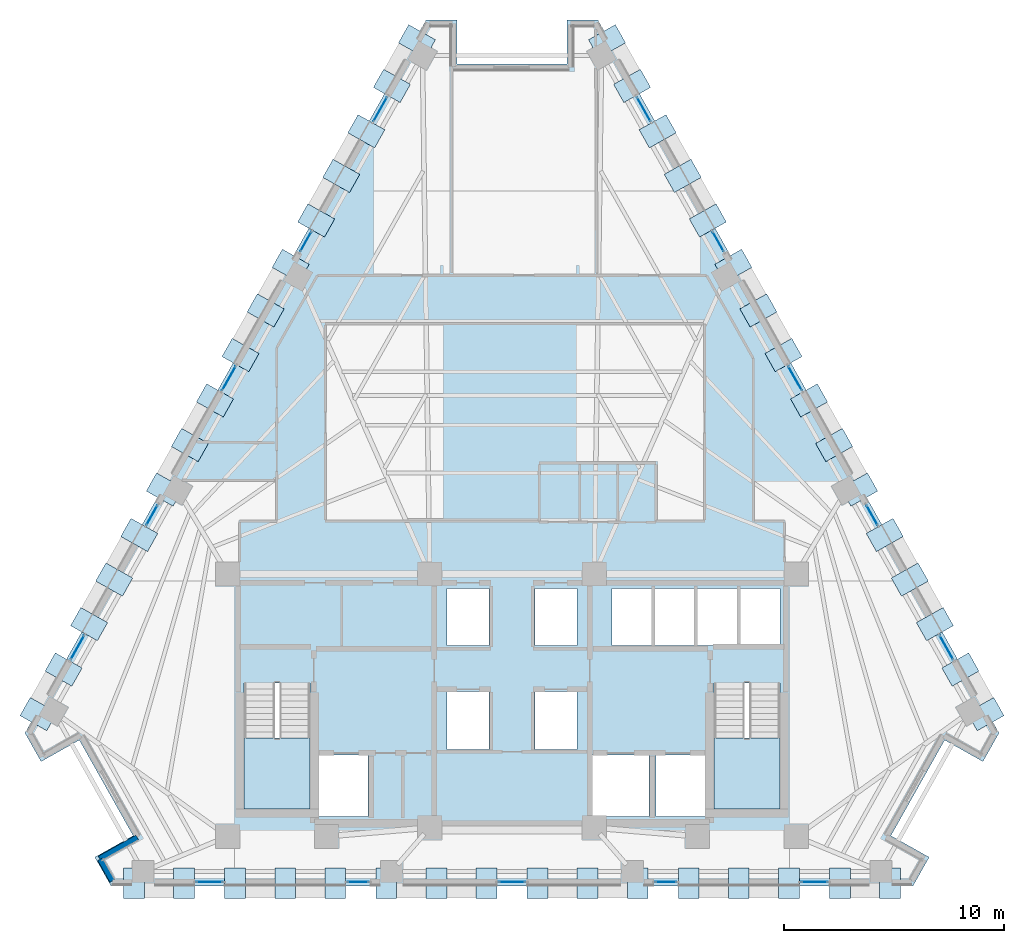
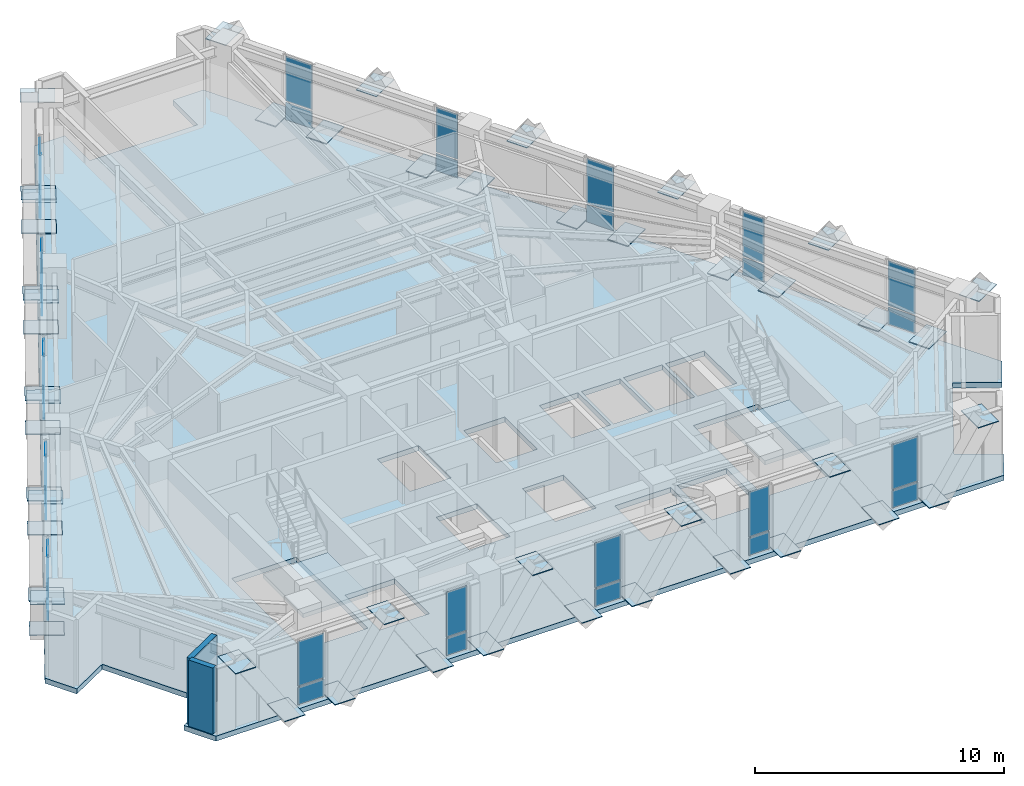
# One storey, part 6 of 13: 78 plates, 3 slabs, 2 walls, 17 elements without a shape of their own.
"""IFC4 building model written with IfcOpenShell, lengths in metres."""

from ifc_helpers import new_model, si_unit, direction, frame, frame_2d, origin, origin_2d, place, context, subcontext, project, spatial, polyline, rectangle, outline, extrude, material, layer, layer_set, type_object, element, aggregate, save


model = new_model("IFC4")

# Units and contexts
model_context = context("Model", 3, precision=1e-05, world=origin(), true_north=direction((0.0, 1.0)))
body_context = subcontext(model_context, "Body", "Model", "MODEL_VIEW")
ifc_project = project(units=[si_unit("LENGTHUNIT", "METRE"), si_unit("AREAUNIT", "SQUARE_METRE"), si_unit("VOLUMEUNIT", "CUBIC_METRE"), si_unit("PLANEANGLEUNIT", "RADIAN"), si_unit("MASSUNIT", "GRAM", prefix="KILO")], contexts=[model_context])

# Site, building, storey
site_placement = place(None, origin())
site = spatial("IfcSite", under=ifc_project, at=site_placement, CompositionType="ELEMENT")
building_placement = place(site_placement, origin())
building = spatial("IfcBuilding", under=site, at=building_placement, Name="Quenlor Broadcast Tower", CompositionType="ELEMENT")
storey_placement = place(building_placement, frame((0.0, 0.0, 158.0)))
storey = spatial("IfcBuildingStorey", under=building, at=storey_placement, Name="L43", CompositionType="ELEMENT", Elevation=158.0)

# Curtain wall, plates
ifc_material_1 = material(Name="Architectural Terracotta and Low-E Glazing", Category="masonry")
curtain_wall_type = type_object("IfcCurtainWallType", Name="Unitised Terracotta Curtain Wall System Z3", PredefinedType="NOTDEFINED", material=ifc_material_1)
curtain_wall_1_placement = place(storey_placement, origin())
curtain_wall_1 = element("IfcCurtainWall", 1, at=curtain_wall_1_placement, inside=storey, type_object=curtain_wall_type, Name="L43 Curtain Wall CW3 (L43-SA-G1)", PredefinedType="NOTDEFINED")
ifc_material_2 = material(Name="Double Glazed Low-E Solar Glass", Category="glass")
ifc_layer_1 = layer(ifc_material_2, 0.028076171875)
ifc_layer_set_1 = layer_set([ifc_layer_1], Name="CW3 Double Glazed Vision Panel 28")
plate_type_1 = type_object("IfcPlateType", Name="CW3 Double Glazed Vision Panel 28", PredefinedType="CURTAIN_PANEL", material=ifc_layer_set_1)
plate_1_placement = place(storey_placement, frame((13.77587890625, -18.824951171875, 0.06982421875), z_axis=(0.0, 0.0, 1.0), x_axis=(-1.0, 0.0, 0.0)))
plate_1 = element("IfcPlate", 2, at=plate_1_placement, type_object=plate_type_1, Name="CW3 panel 1.1", PredefinedType="CURTAIN_PANEL", context=body_context, shape_type="SweptSolid", body=[
    extrude(rectangle(XDim=1.197998046875, YDim=0.028076171875, at=origin_2d()), origin(), (0.0, 0.0, 1.0), 0.844970703125),
])
plate_2_placement = place(storey_placement, frame((13.77587890625, -18.824951171875, 0.98486328125), z_axis=(0.0, 0.0, 1.0), x_axis=(-1.0, 0.0, 0.0)))
plate_2 = element("IfcPlate", 3, at=plate_2_placement, type_object=plate_type_1, Name="CW3 panel 1.2", PredefinedType="CURTAIN_PANEL", context=body_context, shape_type="SweptSolid", body=[
    extrude(rectangle(XDim=1.197998046875, YDim=0.028076171875, at=origin_2d()), origin(), (0.0, 0.0, 1.0), 2.195068359375),
])
aggregate(curtain_wall_1, [plate_1, plate_2])

curtain_wall_2_placement = place(storey_placement, origin())
curtain_wall_2 = element("IfcCurtainWall", 4, at=curtain_wall_2_placement, inside=storey, type_object=curtain_wall_type, Name="L43 Curtain Wall CW3 (L43-SA-G2)", PredefinedType="NOTDEFINED")
plate_3_placement = place(storey_placement, frame((7.011474609375, -18.824951171875, 0.06982421875), z_axis=(0.0, 0.0, 1.0), x_axis=(-1.0, 0.0, 0.0)))
plate_3 = element("IfcPlate", 5, at=plate_3_placement, type_object=plate_type_1, Name="CW3 panel 1.1", PredefinedType="CURTAIN_PANEL", context=body_context, shape_type="SweptSolid", body=[
    extrude(rectangle(XDim=0.950927734375, YDim=0.028076171875, at=origin_2d()), origin(), (0.0, 0.0, 1.0), 0.844970703125),
])
plate_4_placement = place(storey_placement, frame((7.011474609375, -18.824951171875, 0.98486328125), z_axis=(0.0, 0.0, 1.0), x_axis=(-1.0, 0.0, 0.0)))
plate_4 = element("IfcPlate", 6, at=plate_4_placement, type_object=plate_type_1, Name="CW3 panel 1.2", PredefinedType="CURTAIN_PANEL", context=body_context, shape_type="SweptSolid", body=[
    extrude(rectangle(XDim=0.950927734375, YDim=0.028076171875, at=origin_2d()), origin(), (0.0, 0.0, 1.0), 2.195068359375),
])
aggregate(curtain_wall_2, [plate_3, plate_4])

curtain_wall_3_placement = place(storey_placement, origin())
curtain_wall_3 = element("IfcCurtainWall", 7, at=curtain_wall_3_placement, inside=storey, type_object=curtain_wall_type, Name="L43 Curtain Wall CW3 (L43-SC-G1)", PredefinedType="NOTDEFINED")
plate_5_placement = place(storey_placement, frame((-7.011474609375, -18.824951171875, 0.06982421875), z_axis=(0.0, 0.0, 1.0), x_axis=(-1.0, 0.0, 0.0)))
plate_5 = element("IfcPlate", 8, at=plate_5_placement, type_object=plate_type_1, Name="CW3 panel 1.1", PredefinedType="CURTAIN_PANEL", context=body_context, shape_type="SweptSolid", body=[
    extrude(rectangle(XDim=0.950927734375, YDim=0.028076171875, at=origin_2d()), origin(), (0.0, 0.0, 1.0), 0.844970703125),
])
plate_6_placement = place(storey_placement, frame((-7.011474609375, -18.824951171875, 0.98486328125), z_axis=(0.0, 0.0, 1.0), x_axis=(-1.0, 0.0, 0.0)))
plate_6 = element("IfcPlate", 9, at=plate_6_placement, type_object=plate_type_1, Name="CW3 panel 1.2", PredefinedType="CURTAIN_PANEL", context=body_context, shape_type="SweptSolid", body=[
    extrude(rectangle(XDim=0.950927734375, YDim=0.028076171875, at=origin_2d()), origin(), (0.0, 0.0, 1.0), 2.195068359375),
])
aggregate(curtain_wall_3, [plate_5, plate_6])

curtain_wall_4_placement = place(storey_placement, origin())
curtain_wall_4 = element("IfcCurtainWall", 10, at=curtain_wall_4_placement, inside=storey, type_object=curtain_wall_type, Name="L43 Curtain Wall CW3 (L43-SC-G2)", PredefinedType="NOTDEFINED")
plate_7_placement = place(storey_placement, frame((-13.77587890625, -18.824951171875, 0.06982421875), z_axis=(0.0, 0.0, 1.0), x_axis=(-1.0, 0.0, 0.0)))
plate_7 = element("IfcPlate", 11, at=plate_7_placement, type_object=plate_type_1, Name="CW3 panel 1.1", PredefinedType="CURTAIN_PANEL", context=body_context, shape_type="SweptSolid", body=[
    extrude(rectangle(XDim=1.197998046875, YDim=0.028076171875, at=origin_2d()), origin(), (0.0, 0.0, 1.0), 0.844970703125),
])
plate_8_placement = place(storey_placement, frame((-13.77587890625, -18.824951171875, 0.98486328125), z_axis=(0.0, 0.0, 1.0), x_axis=(-1.0, 0.0, 0.0)))
plate_8 = element("IfcPlate", 12, at=plate_8_placement, type_object=plate_type_1, Name="CW3 panel 1.2", PredefinedType="CURTAIN_PANEL", context=body_context, shape_type="SweptSolid", body=[
    extrude(rectangle(XDim=1.197998046875, YDim=0.028076171875, at=origin_2d()), origin(), (0.0, 0.0, 1.0), 2.195068359375),
])
aggregate(curtain_wall_4, [plate_7, plate_8])

curtain_wall_5_placement = place(storey_placement, origin())
curtain_wall_5 = element("IfcCurtainWall", 13, at=curtain_wall_5_placement, inside=storey, type_object=curtain_wall_type, Name="L43 Curtain Wall CW3 (L43-S-G1)", PredefinedType="NOTDEFINED")
plate_9_placement = place(storey_placement, frame((0.0, -18.824951171875, 0.06982421875), z_axis=(0.0, 0.0, 1.0), x_axis=(-1.0, 0.0, 0.0)))
plate_9 = element("IfcPlate", 14, at=plate_9_placement, type_object=plate_type_1, Name="CW3 panel 1.1", PredefinedType="CURTAIN_PANEL", context=body_context, shape_type="SweptSolid", body=[
    extrude(rectangle(XDim=1.197998046875, YDim=0.028076171875, at=origin_2d()), origin(), (0.0, 0.0, 1.0), 0.844970703125),
])
plate_10_placement = place(storey_placement, frame((0.0, -18.824951171875, 0.98486328125), z_axis=(0.0, 0.0, 1.0), x_axis=(-1.0, 0.0, 0.0)))
plate_10 = element("IfcPlate", 15, at=plate_10_placement, type_object=plate_type_1, Name="CW3 panel 1.2", PredefinedType="CURTAIN_PANEL", context=body_context, shape_type="SweptSolid", body=[
    extrude(rectangle(XDim=1.197998046875, YDim=0.028076171875, at=origin_2d()), origin(), (0.0, 0.0, 1.0), 2.195068359375),
])
aggregate(curtain_wall_5, [plate_9, plate_10])

curtain_wall_6_placement = place(storey_placement, origin())
curtain_wall_6 = element("IfcCurtainWall", 16, at=curtain_wall_6_placement, inside=storey, type_object=curtain_wall_type, Name="L43 Curtain Wall CW3 (L43-NEA-G1)", PredefinedType="NOTDEFINED")
plate_11_placement = place(storey_placement, frame((6.00146484375, 16.3740234375, 0.06982421875), z_axis=(0.0, 0.0, 1.0), x_axis=(0.490230492916, -0.871592831439, 0.0)))
plate_11 = element("IfcPlate", 17, at=plate_11_placement, type_object=plate_type_1, Name="CW3 panel 1.1", PredefinedType="CURTAIN_PANEL", context=body_context, shape_type="SweptSolid", body=[
    extrude(rectangle(XDim=1.249755859375, YDim=0.028076171875, at=origin_2d()), origin(), (0.0, 0.0, 1.0), 0.844970703125),
])
plate_12_placement = place(storey_placement, frame((6.00146484375, 16.3740234375, 0.98486328125), z_axis=(0.0, 0.0, 1.0), x_axis=(0.490230492916, -0.871592831439, 0.0)))
plate_12 = element("IfcPlate", 18, at=plate_12_placement, type_object=plate_type_1, Name="CW3 panel 1.2", PredefinedType="CURTAIN_PANEL", context=body_context, shape_type="SweptSolid", body=[
    extrude(rectangle(XDim=1.249755859375, YDim=0.028076171875, at=origin_2d()), origin(), (0.0, 0.0, 1.0), 2.195068359375),
])
aggregate(curtain_wall_6, [plate_11, plate_12])

curtain_wall_7_placement = place(storey_placement, origin())
curtain_wall_7 = element("IfcCurtainWall", 19, at=curtain_wall_7_placement, inside=storey, type_object=curtain_wall_type, Name="L43 Curtain Wall CW3 (L43-NEA-G2)", PredefinedType="NOTDEFINED")
plate_13_placement = place(storey_placement, frame((9.391357421875, 10.34716796875, 0.06982421875), z_axis=(0.0, 0.0, 1.0), x_axis=(0.490215950125, -0.871601010924, 0.0)))
plate_13 = element("IfcPlate", 20, at=plate_13_placement, type_object=plate_type_1, Name="CW3 panel 1.1", PredefinedType="CURTAIN_PANEL", context=body_context, shape_type="SweptSolid", body=[
    extrude(rectangle(XDim=1.01318359375, YDim=0.028076171875, at=origin_2d()), origin(), (0.0, 0.0, 1.0), 0.844970703125),
])
plate_14_placement = place(storey_placement, frame((9.391357421875, 10.34716796875, 0.98486328125), z_axis=(0.0, 0.0, 1.0), x_axis=(0.490215950125, -0.871601010924, 0.0)))
plate_14 = element("IfcPlate", 21, at=plate_14_placement, type_object=plate_type_1, Name="CW3 panel 1.2", PredefinedType="CURTAIN_PANEL", context=body_context, shape_type="SweptSolid", body=[
    extrude(rectangle(XDim=1.01318359375, YDim=0.028076171875, at=origin_2d()), origin(), (0.0, 0.0, 1.0), 2.195068359375),
])
aggregate(curtain_wall_7, [plate_13, plate_14])

curtain_wall_8_placement = place(storey_placement, origin())
curtain_wall_8 = element("IfcCurtainWall", 22, at=curtain_wall_8_placement, inside=storey, type_object=curtain_wall_type, Name="L43 Curtain Wall CW3 (L43-NEC-G1)", PredefinedType="NOTDEFINED")
plate_15_placement = place(storey_placement, frame((16.403564453125, -2.118896484375, 0.06982421875), z_axis=(0.0, 0.0, 1.0), x_axis=(0.490253004657, -0.871580169247, 0.0)))
plate_15 = element("IfcPlate", 23, at=plate_15_placement, type_object=plate_type_1, Name="CW3 panel 1.1", PredefinedType="CURTAIN_PANEL", context=body_context, shape_type="SweptSolid", body=[
    extrude(rectangle(XDim=1.01318359375, YDim=0.028076171875, at=origin_2d()), origin(), (0.0, 0.0, 1.0), 0.844970703125),
])
plate_16_placement = place(storey_placement, frame((16.403564453125, -2.118896484375, 0.98486328125), z_axis=(0.0, 0.0, 1.0), x_axis=(0.490253004657, -0.871580169247, 0.0)))
plate_16 = element("IfcPlate", 24, at=plate_16_placement, type_object=plate_type_1, Name="CW3 panel 1.2", PredefinedType="CURTAIN_PANEL", context=body_context, shape_type="SweptSolid", body=[
    extrude(rectangle(XDim=1.01318359375, YDim=0.028076171875, at=origin_2d()), origin(), (0.0, 0.0, 1.0), 2.195068359375),
])
aggregate(curtain_wall_8, [plate_15, plate_16])

curtain_wall_9_placement = place(storey_placement, origin())
curtain_wall_9 = element("IfcCurtainWall", 25, at=curtain_wall_9_placement, inside=storey, type_object=curtain_wall_type, Name="L43 Curtain Wall CW3 (L43-NEC-G2)", PredefinedType="NOTDEFINED")
plate_17_placement = place(storey_placement, frame((19.793701171875, -8.145751953125, 0.06982421875), z_axis=(0.0, 0.0, 1.0), x_axis=(0.490261239636, -0.871575537123, 0.0)))
plate_17 = element("IfcPlate", 26, at=plate_17_placement, type_object=plate_type_1, Name="CW3 panel 1.1", PredefinedType="CURTAIN_PANEL", context=body_context, shape_type="SweptSolid", body=[
    extrude(rectangle(XDim=1.249755859375, YDim=0.028076171875, at=origin_2d()), origin(), (0.0, 0.0, 1.0), 0.844970703125),
])
plate_18_placement = place(storey_placement, frame((19.793701171875, -8.145751953125, 0.98486328125), z_axis=(0.0, 0.0, 1.0), x_axis=(0.490261239636, -0.871575537123, 0.0)))
plate_18 = element("IfcPlate", 27, at=plate_18_placement, type_object=plate_type_1, Name="CW3 panel 1.2", PredefinedType="CURTAIN_PANEL", context=body_context, shape_type="SweptSolid", body=[
    extrude(rectangle(XDim=1.249755859375, YDim=0.028076171875, at=origin_2d()), origin(), (0.0, 0.0, 1.0), 2.195068359375),
])
aggregate(curtain_wall_9, [plate_17, plate_18])

curtain_wall_10_placement = place(storey_placement, origin())
curtain_wall_10 = element("IfcCurtainWall", 28, at=curtain_wall_10_placement, inside=storey, type_object=curtain_wall_type, Name="L43 Curtain Wall CW3 (L43-NE-G1)", PredefinedType="NOTDEFINED")
plate_19_placement = place(storey_placement, frame((12.8974609375, 4.1142578125, 0.06982421875), z_axis=(0.0, 0.0, 1.0), x_axis=(0.490285152484, -0.871562085714, 0.0)))
plate_19 = element("IfcPlate", 29, at=plate_19_placement, type_object=plate_type_1, Name="CW3 panel 1.1", PredefinedType="CURTAIN_PANEL", context=body_context, shape_type="SweptSolid", body=[
    extrude(rectangle(XDim=1.249755859375, YDim=0.028076171875, at=origin_2d()), origin(), (0.0, 0.0, 1.0), 0.844970703125),
])
plate_20_placement = place(storey_placement, frame((12.8974609375, 4.1142578125, 0.98486328125), z_axis=(0.0, 0.0, 1.0), x_axis=(0.490285152484, -0.871562085714, 0.0)))
plate_20 = element("IfcPlate", 30, at=plate_20_placement, type_object=plate_type_1, Name="CW3 panel 1.2", PredefinedType="CURTAIN_PANEL", context=body_context, shape_type="SweptSolid", body=[
    extrude(rectangle(XDim=1.249755859375, YDim=0.028076171875, at=origin_2d()), origin(), (0.0, 0.0, 1.0), 2.195068359375),
])
aggregate(curtain_wall_10, [plate_19, plate_20])

curtain_wall_11_placement = place(storey_placement, origin())
curtain_wall_11 = element("IfcCurtainWall", 31, at=curtain_wall_11_placement, inside=storey, type_object=curtain_wall_type, Name="L43 Curtain Wall CW3 (L43-NWA-G1)", PredefinedType="NOTDEFINED")
plate_21_placement = place(storey_placement, frame((-19.793701171875, -8.145751953125, 0.06982421875), z_axis=(0.0, 0.0, 1.0), x_axis=(0.490261239636, 0.871575537123, 0.0)))
plate_21 = element("IfcPlate", 32, at=plate_21_placement, type_object=plate_type_1, Name="CW3 panel 1.1", PredefinedType="CURTAIN_PANEL", context=body_context, shape_type="SweptSolid", body=[
    extrude(rectangle(XDim=1.249755859375, YDim=0.028076171875, at=origin_2d()), origin(), (0.0, 0.0, 1.0), 0.844970703125),
])
plate_22_placement = place(storey_placement, frame((-19.793701171875, -8.145751953125, 0.98486328125), z_axis=(0.0, 0.0, 1.0), x_axis=(0.490261239636, 0.871575537123, 0.0)))
plate_22 = element("IfcPlate", 33, at=plate_22_placement, type_object=plate_type_1, Name="CW3 panel 1.2", PredefinedType="CURTAIN_PANEL", context=body_context, shape_type="SweptSolid", body=[
    extrude(rectangle(XDim=1.249755859375, YDim=0.028076171875, at=origin_2d()), origin(), (0.0, 0.0, 1.0), 2.195068359375),
])
aggregate(curtain_wall_11, [plate_21, plate_22])

curtain_wall_12_placement = place(storey_placement, origin())
curtain_wall_12 = element("IfcCurtainWall", 34, at=curtain_wall_12_placement, inside=storey, type_object=curtain_wall_type, Name="L43 Curtain Wall CW3 (L43-NWA-G2)", PredefinedType="NOTDEFINED")
plate_23_placement = place(storey_placement, frame((-16.403564453125, -2.118896484375, 0.06982421875), z_axis=(0.0, 0.0, 1.0), x_axis=(0.490253004657, 0.871580169247, 0.0)))
plate_23 = element("IfcPlate", 35, at=plate_23_placement, type_object=plate_type_1, Name="CW3 panel 1.1", PredefinedType="CURTAIN_PANEL", context=body_context, shape_type="SweptSolid", body=[
    extrude(rectangle(XDim=1.01318359375, YDim=0.028076171875, at=origin_2d()), origin(), (0.0, 0.0, 1.0), 0.844970703125),
])
plate_24_placement = place(storey_placement, frame((-16.403564453125, -2.118896484375, 0.98486328125), z_axis=(0.0, 0.0, 1.0), x_axis=(0.490253004657, 0.871580169247, 0.0)))
plate_24 = element("IfcPlate", 36, at=plate_24_placement, type_object=plate_type_1, Name="CW3 panel 1.2", PredefinedType="CURTAIN_PANEL", context=body_context, shape_type="SweptSolid", body=[
    extrude(rectangle(XDim=1.01318359375, YDim=0.028076171875, at=origin_2d()), origin(), (0.0, 0.0, 1.0), 2.195068359375),
])
aggregate(curtain_wall_12, [plate_23, plate_24])

curtain_wall_13_placement = place(storey_placement, origin())
curtain_wall_13 = element("IfcCurtainWall", 37, at=curtain_wall_13_placement, inside=storey, type_object=curtain_wall_type, Name="L43 Curtain Wall CW3 (L43-NWC-G1)", PredefinedType="NOTDEFINED")
plate_25_placement = place(storey_placement, frame((-9.391357421875, 10.34716796875, 0.06982421875), z_axis=(0.0, 0.0, 1.0), x_axis=(0.490215950125, 0.871601010924, 0.0)))
plate_25 = element("IfcPlate", 38, at=plate_25_placement, type_object=plate_type_1, Name="CW3 panel 1.1", PredefinedType="CURTAIN_PANEL", context=body_context, shape_type="SweptSolid", body=[
    extrude(rectangle(XDim=1.01318359375, YDim=0.028076171875, at=origin_2d()), origin(), (0.0, 0.0, 1.0), 0.844970703125),
])
plate_26_placement = place(storey_placement, frame((-9.391357421875, 10.34716796875, 0.98486328125), z_axis=(0.0, 0.0, 1.0), x_axis=(0.490215950125, 0.871601010924, 0.0)))
plate_26 = element("IfcPlate", 39, at=plate_26_placement, type_object=plate_type_1, Name="CW3 panel 1.2", PredefinedType="CURTAIN_PANEL", context=body_context, shape_type="SweptSolid", body=[
    extrude(rectangle(XDim=1.01318359375, YDim=0.028076171875, at=origin_2d()), origin(), (0.0, 0.0, 1.0), 2.195068359375),
])
aggregate(curtain_wall_13, [plate_25, plate_26])

curtain_wall_14_placement = place(storey_placement, origin())
curtain_wall_14 = element("IfcCurtainWall", 40, at=curtain_wall_14_placement, inside=storey, type_object=curtain_wall_type, Name="L43 Curtain Wall CW3 (L43-NWC-G2)", PredefinedType="NOTDEFINED")
plate_27_placement = place(storey_placement, frame((-6.00146484375, 16.3740234375, 0.06982421875), z_axis=(0.0, 0.0, 1.0), x_axis=(0.490230492916, 0.871592831439, 0.0)))
plate_27 = element("IfcPlate", 41, at=plate_27_placement, type_object=plate_type_1, Name="CW3 panel 1.1", PredefinedType="CURTAIN_PANEL", context=body_context, shape_type="SweptSolid", body=[
    extrude(rectangle(XDim=1.249755859375, YDim=0.028076171875, at=origin_2d()), origin(), (0.0, 0.0, 1.0), 0.844970703125),
])
plate_28_placement = place(storey_placement, frame((-6.00146484375, 16.3740234375, 0.98486328125), z_axis=(0.0, 0.0, 1.0), x_axis=(0.490230492916, 0.871592831439, 0.0)))
plate_28 = element("IfcPlate", 42, at=plate_28_placement, type_object=plate_type_1, Name="CW3 panel 1.2", PredefinedType="CURTAIN_PANEL", context=body_context, shape_type="SweptSolid", body=[
    extrude(rectangle(XDim=1.249755859375, YDim=0.028076171875, at=origin_2d()), origin(), (0.0, 0.0, 1.0), 2.195068359375),
])
aggregate(curtain_wall_14, [plate_27, plate_28])

curtain_wall_15_placement = place(storey_placement, origin())
curtain_wall_15 = element("IfcCurtainWall", 43, at=curtain_wall_15_placement, inside=storey, type_object=curtain_wall_type, Name="L43 Curtain Wall CW3 (L43-NW-G1)", PredefinedType="NOTDEFINED")
plate_29_placement = place(storey_placement, frame((-12.8974609375, 4.1142578125, 0.06982421875), z_axis=(0.0, 0.0, 1.0), x_axis=(0.490285152484, 0.871562085714, 0.0)))
plate_29 = element("IfcPlate", 44, at=plate_29_placement, type_object=plate_type_1, Name="CW3 panel 1.1", PredefinedType="CURTAIN_PANEL", context=body_context, shape_type="SweptSolid", body=[
    extrude(rectangle(XDim=1.249755859375, YDim=0.028076171875, at=origin_2d()), origin(), (0.0, 0.0, 1.0), 0.844970703125),
])
plate_30_placement = place(storey_placement, frame((-12.8974609375, 4.1142578125, 0.98486328125), z_axis=(0.0, 0.0, 1.0), x_axis=(0.490285152484, 0.871562085714, 0.0)))
plate_30 = element("IfcPlate", 45, at=plate_30_placement, type_object=plate_type_1, Name="CW3 panel 1.2", PredefinedType="CURTAIN_PANEL", context=body_context, shape_type="SweptSolid", body=[
    extrude(rectangle(XDim=1.249755859375, YDim=0.028076171875, at=origin_2d()), origin(), (0.0, 0.0, 1.0), 2.195068359375),
])
aggregate(curtain_wall_15, [plate_29, plate_30])

# Stair, slab
ifc_material_3 = material(Name="Precast concrete C40/50", Category="concrete")
stair_type = type_object("IfcStairType", Name="Precast Concrete C40/50 Dogleg Stair H350", PredefinedType="HALF_TURN_STAIR", material=ifc_material_3)
stair_1_placement = place(storey_placement, origin())
stair_1 = element("IfcStair", 46, at=stair_1_placement, inside=storey, type_object=stair_type, Name="L43 West Core Fire-Isolated Exit Stair ST-1", PredefinedType="HALF_TURN_STAIR")
ifc_material_4 = material(Name="Precast concrete C40/50", Category="concrete")
ifc_layer_2 = layer(ifc_material_4, 0.199951171875)
ifc_layer_set_2 = layer_set([ifc_layer_2], Name="Precast Concrete C40/50 Stair Landing Slab 200")
slab_type_1 = type_object("IfcSlabType", Name="Precast Concrete C40/50 Stair Landing Slab 200", PredefinedType="LANDING", material=ifc_layer_set_2)
slab_1_placement = place(storey_placement, frame((0.0, 0.0, 1.550048828125)))
slab_1 = element("IfcSlab", 47, at=slab_1_placement, type_object=slab_type_1, Name="ST-1 landing 1", PredefinedType="LANDING", context=body_context, shape_type="SweptSolid", body=[
    extrude(outline(polyline([(-12.199951171875, -12.27001953125), (-12.199951171875, -15.5), (-9.199951171875, -15.5), (-9.199951171875, -12.27001953125), (-12.199951171875, -12.27001953125)])), origin(), (0.0, 0.0, 1.0), 0.199951171875),
])
aggregate(stair_1, [slab_1])

stair_2_placement = place(storey_placement, origin())
stair_2 = element("IfcStair", 48, at=stair_2_placement, inside=storey, type_object=stair_type, Name="L43 East Core Fire-Isolated Exit Stair ST-2", PredefinedType="HALF_TURN_STAIR")
slab_2_placement = place(storey_placement, frame((0.0, 0.0, 1.550048828125)))
slab_2 = element("IfcSlab", 49, at=slab_2_placement, type_object=slab_type_1, Name="ST-2 landing 1", PredefinedType="LANDING", context=body_context, shape_type="SweptSolid", body=[
    extrude(outline(polyline([(9.199951171875, -12.27001953125), (9.199951171875, -15.5), (12.199951171875, -15.5), (12.199951171875, -12.27001953125), (9.199951171875, -12.27001953125)])), origin(), (0.0, 0.0, 1.0), 0.199951171875),
])
aggregate(stair_2, [slab_2])

# Slab
ifc_material_5 = material(Name="Concrete C40/50", Category="concrete")
ifc_layer_3 = layer(ifc_material_5, 0.25)
ifc_layer_set_3 = layer_set([ifc_layer_3], Name="Tower Composite Concrete C40/50 Slab 250")
slab_type_2 = type_object("IfcSlabType", Name="Tower Composite Concrete C40/50 Slab 250", PredefinedType="FLOOR", material=ifc_layer_set_3)
slab_3_placement = place(storey_placement, frame((0.0, 0.0, -0.25)))
element("IfcSlab", 50, at=slab_3_placement, inside=storey, type_object=slab_type_2, Name="L43 Structural Floor Slab", PredefinedType="FLOOR", context=body_context, shape_type="SweptSolid", body=[
    extrude(outline(polyline([(18.27001953125, -19.0), (19.001708984375, -17.698974609375), (17.2587890625, -16.718505859375), (19.7099609375, -12.360595703125), (21.453125, -13.341064453125), (22.18505859375, -12.0400390625), (3.9150390625, 20.43994140625), (2.5, 20.43994140625), (2.5, 18.43994140625), (-2.5, 18.43994140625), (-2.5, 20.43994140625), (-3.9150390625, 20.43994140625), (-22.18505859375, -12.0400390625), (-21.453125, -13.341064453125), (-19.7099609375, -12.360595703125), (-17.2587890625, -16.718505859375), (-19.001708984375, -17.698974609375), (-18.27001953125, -19.0), (18.27001953125, -19.0)]), holes=[polyline([(-12.199951171875, -9.758056640625), (-12.199951171875, -15.5), (-9.199951171875, -15.5), (-9.199951171875, -9.758056640625), (-12.199951171875, -9.758056640625)]), polyline([(9.199951171875, -9.758056640625), (9.199951171875, -15.5), (12.199951171875, -15.5), (12.199951171875, -9.758056640625), (9.199951171875, -9.758056640625)]), polyline([(-2.949951171875, -8.050048828125), (-1.050048828125, -8.050048828125), (-1.050048828125, -5.449951171875), (-2.949951171875, -5.449951171875), (-2.949951171875, -8.050048828125)]), polyline([(1.050048828125, -8.050048828125), (2.949951171875, -8.050048828125), (2.949951171875, -5.449951171875), (1.050048828125, -5.449951171875), (1.050048828125, -8.050048828125)]), polyline([(-2.949951171875, -12.800048828125), (-1.050048828125, -12.800048828125), (-1.050048828125, -10.14990234375), (-2.949951171875, -10.14990234375), (-2.949951171875, -12.800048828125)]), polyline([(1.050048828125, -12.800048828125), (2.949951171875, -12.800048828125), (2.949951171875, -10.14990234375), (1.050048828125, -10.14990234375), (1.050048828125, -12.800048828125)]), polyline([(4.550048828125, -8.050048828125), (6.35009765625, -8.050048828125), (6.35009765625, -5.449951171875), (4.550048828125, -5.449951171875), (4.550048828125, -8.050048828125)]), polyline([(6.5, -8.050048828125), (8.300048828125, -8.050048828125), (8.300048828125, -5.449951171875), (6.5, -5.449951171875), (6.5, -8.050048828125)]), polyline([(8.449951171875, -8.050048828125), (10.25, -8.050048828125), (10.25, -5.449951171875), (8.449951171875, -5.449951171875), (8.449951171875, -8.050048828125)]), polyline([(10.39990234375, -8.050048828125), (12.199951171875, -8.050048828125), (12.199951171875, -5.449951171875), (10.39990234375, -5.449951171875), (10.39990234375, -8.050048828125)]), polyline([(-8.85009765625, -15.85009765625), (-6.550048828125, -15.85009765625), (-6.550048828125, -13.050048828125), (-8.85009765625, -13.050048828125), (-8.85009765625, -15.85009765625)]), polyline([(6.550048828125, -15.85009765625), (8.85009765625, -15.85009765625), (8.85009765625, -13.050048828125), (6.550048828125, -13.050048828125), (6.550048828125, -15.85009765625)]), polyline([(3.64990234375, -15.85009765625), (6.25, -15.85009765625), (6.25, -13.050048828125), (3.64990234375, -13.050048828125), (3.64990234375, -15.85009765625)])]), origin(), (0.0, 0.0, 1.0), 0.25),
])

# Plates
ifc_material_6 = material(Name="Steel S355", Category="steel")
ifc_layer_4 = layer(ifc_material_6, 0.035888671875)
ifc_layer_set_4 = layer_set([ifc_layer_4], Name="Transfer Truss Steel S355 Gusset Node Plate 1400x950x36")
plate_type_2 = type_object("IfcPlateType", Name="Transfer Truss Steel S355 Gusset Node Plate 1400x950x36", PredefinedType="SHEET", material=ifc_layer_set_4)
for number, where, z_axis, x_axis, name in (
    (51, (12.6142578125, -18.885009765625, 0.0419921875), (0.0, 0.0, 1.0), (0.0, -1.0, 0.0), "L43 Lattice Tie Gusset Node S-B2"),
    (52, (10.33203125, -18.885009765625, 3.18212890625), (0.0, 0.0, 1.0), (0.0, -1.0, 0.0), "L43 Lattice Tie Gusset Node S-T3"),
    (53, (14.937744140625, -18.885009765625, 0.0419921875), (0.0, 0.0, 1.0), (0.0, -1.0, 0.0), "L43 Lattice Tie Gusset Node S-B1"),
    (54, (17.219970703125, -18.885009765625, 3.18212890625), (0.0, 0.0, 1.0), (0.0, -1.0, 0.0), "L43 Lattice Tie Gusset Node S-T0"),
    (55, (5.726318359375, -18.885009765625, 0.0419921875), (0.0, 0.0, 1.0), (0.0, -1.0, 0.0), "L43 Lattice Tie Gusset Node S-B5"),
    (56, (3.444091796875, -18.885009765625, 3.18212890625), (0.0, 0.0, 1.0), (0.0, -1.0, 0.0), "L43 Lattice Tie Gusset Node S-T6"),
    (57, (8.0498046875, -18.885009765625, 0.0419921875), (0.0, 0.0, 1.0), (0.0, -1.0, 0.0), "L43 Lattice Tie Gusset Node S-B4"),
    (58, (-1.161865234375, -18.885009765625, 0.0419921875), (0.0, 0.0, 1.0), (0.0, -1.0, 0.0), "L43 Lattice Tie Gusset Node S-B8"),
    (59, (-3.444091796875, -18.885009765625, 3.18212890625), (0.0, 0.0, 1.0), (0.0, -1.0, 0.0), "L43 Lattice Tie Gusset Node S-T9"),
    (60, (1.161865234375, -18.885009765625, 0.0419921875), (0.0, 0.0, 1.0), (0.0, -1.0, 0.0), "L43 Lattice Tie Gusset Node S-B7"),
    (61, (-8.0498046875, -18.885009765625, 0.0419921875), (0.0, 0.0, 1.0), (0.0, -1.0, 0.0), "L43 Lattice Tie Gusset Node S-B11"),
    (62, (-10.33203125, -18.885009765625, 3.18212890625), (0.0, 0.0, 1.0), (0.0, -1.0, 0.0), "L43 Lattice Tie Gusset Node S-T12"),
    (63, (-5.726318359375, -18.885009765625, 0.0419921875), (0.0, 0.0, 1.0), (0.0, -1.0, 0.0), "L43 Lattice Tie Gusset Node S-B10"),
    (64, (-14.937744140625, -18.885009765625, 0.0419921875), (0.0, 0.0, 1.0), (0.0, -1.0, 0.0), "L43 Lattice Tie Gusset Node S-B14"),
    (65, (-17.219970703125, -18.885009765625, 3.18212890625), (0.0, 0.0, 1.0), (0.0, -1.0, 0.0), "L43 Lattice Tie Gusset Node S-T15"),
    (66, (-12.6142578125, -18.885009765625, 0.0419921875), (0.0, 0.0, 1.0), (0.0, -1.0, 0.0), "L43 Lattice Tie Gusset Node S-B13"),
    (67, (6.63525390625, 15.36962890625, 0.0419921875), (0.0, 0.0, 1.0), (0.871556314255, 0.490295412055, 0.0), "L43 Lattice Tie Gusset Node NE-B2"),
    (68, (7.777587890625, 13.33837890625, 3.18212890625), (0.0, 0.0, 1.0), (0.871556314255, 0.490295412055, 0.0), "L43 Lattice Tie Gusset Node NE-T3"),
    (69, (5.471923828125, 17.4375, 0.0419921875), (0.0, 0.0, 1.0), (0.871556314255, 0.490295412055, 0.0), "L43 Lattice Tie Gusset Node NE-B1"),
    (70, (4.32958984375, 19.468505859375, 3.18212890625), (0.0, 0.0, 1.0), (0.871556314255, 0.490295412055, 0.0), "L43 Lattice Tie Gusset Node NE-T0"),
    (71, (10.083251953125, 9.239501953125, 0.0419921875), (0.0, 0.0, 1.0), (0.871556314255, 0.490295412055, 0.0), "L43 Lattice Tie Gusset Node NE-B5"),
    (72, (11.2255859375, 7.20849609375, 3.18212890625), (0.0, 0.0, 1.0), (0.871556314255, 0.490295412055, 0.0), "L43 Lattice Tie Gusset Node NE-T6"),
    (73, (8.920166015625, 11.3076171875, 0.0419921875), (0.0, 0.0, 1.0), (0.871556314255, 0.490295412055, 0.0), "L43 Lattice Tie Gusset Node NE-B4"),
    (74, (13.531494140625, 3.109619140625, 0.0419921875), (0.0, 0.0, 1.0), (0.871556314255, 0.490295412055, 0.0), "L43 Lattice Tie Gusset Node NE-B8"),
    (75, (14.673828125, 1.07861328125, 3.18212890625), (0.0, 0.0, 1.0), (0.871556314255, 0.490295412055, 0.0), "L43 Lattice Tie Gusset Node NE-T9"),
    (76, (12.3681640625, 5.177490234375, 0.0419921875), (0.0, 0.0, 1.0), (0.871556314255, 0.490295412055, 0.0), "L43 Lattice Tie Gusset Node NE-B7"),
    (77, (16.9794921875, -3.020263671875, 0.0419921875), (0.0, 0.0, 1.0), (0.871556314255, 0.490295412055, 0.0), "L43 Lattice Tie Gusset Node NE-B11"),
    (78, (18.121826171875, -5.05126953125, 3.18212890625), (0.0, 0.0, 1.0), (0.871556314255, 0.490295412055, 0.0), "L43 Lattice Tie Gusset Node NE-T12"),
    (79, (15.81640625, -0.952392578125, 0.0419921875), (0.0, 0.0, 1.0), (0.871556314255, 0.490295412055, 0.0), "L43 Lattice Tie Gusset Node NE-B10"),
    (80, (20.427490234375, -9.150146484375, 0.0419921875), (0.0, 0.0, 1.0), (0.871556314255, 0.490295412055, 0.0), "L43 Lattice Tie Gusset Node NE-B14"),
    (81, (21.570068359375, -11.18115234375, 3.18212890625), (0.0, 0.0, 1.0), (0.871556314255, 0.490295412055, 0.0), "L43 Lattice Tie Gusset Node NE-T15"),
    (82, (19.264404296875, -7.082275390625, 0.0419921875), (0.0, 0.0, 1.0), (0.871556314255, 0.490295412055, 0.0), "L43 Lattice Tie Gusset Node NE-B13"),
    (83, (-19.264404296875, -7.082275390625, 0.0419921875), (0.0, 0.0, 1.0), (-0.871556314255, 0.490295412055, 0.0), "L43 Lattice Tie Gusset Node NW-B2"),
    (84, (-18.121826171875, -5.05126953125, 3.18212890625), (0.0, 0.0, 1.0), (-0.871556314255, 0.490295412055, 0.0), "L43 Lattice Tie Gusset Node NW-T3"),
    (85, (-20.427490234375, -9.150146484375, 0.0419921875), (0.0, 0.0, 1.0), (-0.871556314255, 0.490295412055, 0.0), "L43 Lattice Tie Gusset Node NW-B1"),
    (86, (-21.570068359375, -11.18115234375, 3.18212890625), (0.0, 0.0, 1.0), (-0.871556314255, 0.490295412055, 0.0), "L43 Lattice Tie Gusset Node NW-T0"),
    (87, (-15.81640625, -0.952392578125, 0.0419921875), (0.0, 0.0, 1.0), (-0.871556314255, 0.490295412055, 0.0), "L43 Lattice Tie Gusset Node NW-B5"),
    (88, (-14.673828125, 1.07861328125, 3.18212890625), (0.0, 0.0, 1.0), (-0.871556314255, 0.490295412055, 0.0), "L43 Lattice Tie Gusset Node NW-T6"),
    (89, (-16.9794921875, -3.020263671875, 0.0419921875), (0.0, 0.0, 1.0), (-0.871556314255, 0.490295412055, 0.0), "L43 Lattice Tie Gusset Node NW-B4"),
    (90, (-12.3681640625, 5.177490234375, 0.0419921875), (0.0, 0.0, 1.0), (-0.871556314255, 0.490295412055, 0.0), "L43 Lattice Tie Gusset Node NW-B8"),
    (91, (-11.2255859375, 7.20849609375, 3.18212890625), (0.0, 0.0, 1.0), (-0.871556314255, 0.490295412055, 0.0), "L43 Lattice Tie Gusset Node NW-T9"),
    (92, (-13.531494140625, 3.109619140625, 0.0419921875), (0.0, 0.0, 1.0), (-0.871556314255, 0.490295412055, 0.0), "L43 Lattice Tie Gusset Node NW-B7"),
    (93, (-8.920166015625, 11.3076171875, 0.0419921875), (0.0, 0.0, 1.0), (-0.871556314255, 0.490295412055, 0.0), "L43 Lattice Tie Gusset Node NW-B11"),
    (94, (-7.777587890625, 13.33837890625, 3.18212890625), (0.0, 0.0, 1.0), (-0.871556314255, 0.490295412055, 0.0), "L43 Lattice Tie Gusset Node NW-T12"),
    (95, (-10.083251953125, 9.239501953125, 0.0419921875), (0.0, 0.0, 1.0), (-0.871556314255, 0.490295412055, 0.0), "L43 Lattice Tie Gusset Node NW-B10"),
    (96, (-5.471923828125, 17.4375, 0.0419921875), (0.0, 0.0, 1.0), (-0.871556314255, 0.490295412055, 0.0), "L43 Lattice Tie Gusset Node NW-B14"),
    (97, (-4.32958984375, 19.468505859375, 3.18212890625), (0.0, 0.0, 1.0), (-0.871556314255, 0.490295412055, 0.0), "L43 Lattice Tie Gusset Node NW-T15"),
    (98, (-6.63525390625, 15.36962890625, 0.0419921875), (0.0, 0.0, 1.0), (-0.871556314255, 0.490295412055, 0.0), "L43 Lattice Tie Gusset Node NW-B13"),
):
    element("IfcPlate", number, at=place(storey_placement, frame(where, z_axis=z_axis, x_axis=x_axis)), inside=storey, type_object=plate_type_2, Name=name, PredefinedType="SHEET", context=body_context, shape_type="SweptSolid", body=[
        extrude(rectangle(XDim=1.39990234375, YDim=0.949951171875, at=origin_2d()), origin(), (0.0, 0.0, 1.0), 0.035888671875),
    ])

# Walls
ifc_material_7 = material(Name="Precast concrete C40/50", Category="concrete")
ifc_layer_5 = layer(ifc_material_7, 0.239990234375)
ifc_layer_set_5 = layer_set([ifc_layer_5], Name="Terrace Threshold Precast Concrete C40/50 Wall 240")
wall_type = type_object("IfcWallType", Name="Terrace Threshold Precast Concrete C40/50 Wall 240", PredefinedType="STANDARD", material=ifc_layer_set_5)
wall_1_placement = place(storey_placement, frame((-17.07568359375, -16.799072265625, 0.0), z_axis=(0.0, 0.0, 1.0), x_axis=(-0.871565557139, -0.490278981406, 0.0)))
element("IfcWall", 99, at=wall_1_placement, inside=storey, type_object=wall_type, Name="L43 Exterior Wall L43-CNR-15", PredefinedType="STANDARD", context=body_context, shape_type="SweptSolid", body=[
    extrude(rectangle(XDim=1.9599609375, YDim=0.239990234375, at=frame_2d((0.97998046875, 0.0))), origin(), (0.0, 0.0, 1.0), 3.25),
])
wall_2_placement = place(storey_placement, frame((-18.764404296875, -17.794921875, 0.0), z_axis=(0.0, 0.0, 1.0), x_axis=(0.490353621339, -0.871523565969, 0.0)))
element("IfcWall", 100, at=wall_2_placement, inside=storey, type_object=wall_type, Name="L43 Exterior Wall L43-CNR-16", PredefinedType="STANDARD", context=body_context, shape_type="SweptSolid", body=[
    extrude(rectangle(XDim=1.129150390625, YDim=0.239990234375, at=frame_2d((0.564453125, 0.0))), origin(), (0.0, 0.0, 1.0), 3.25),
])

save(model, "model.ifc")
